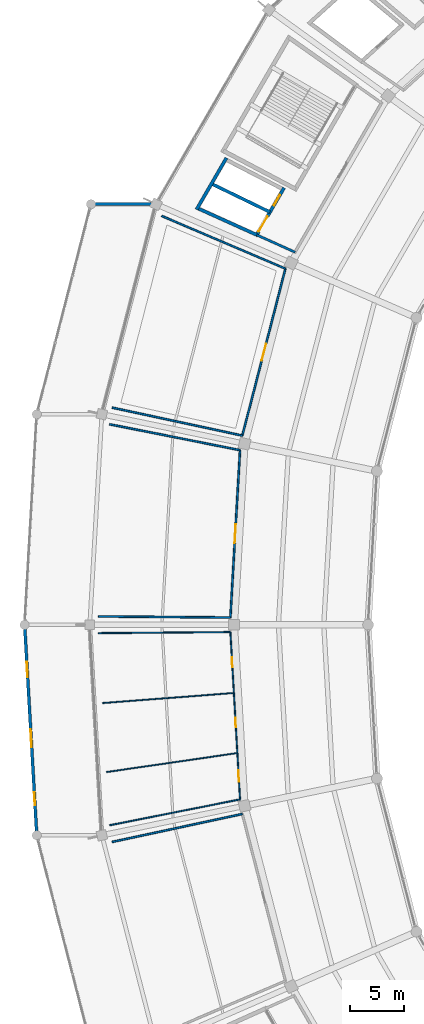
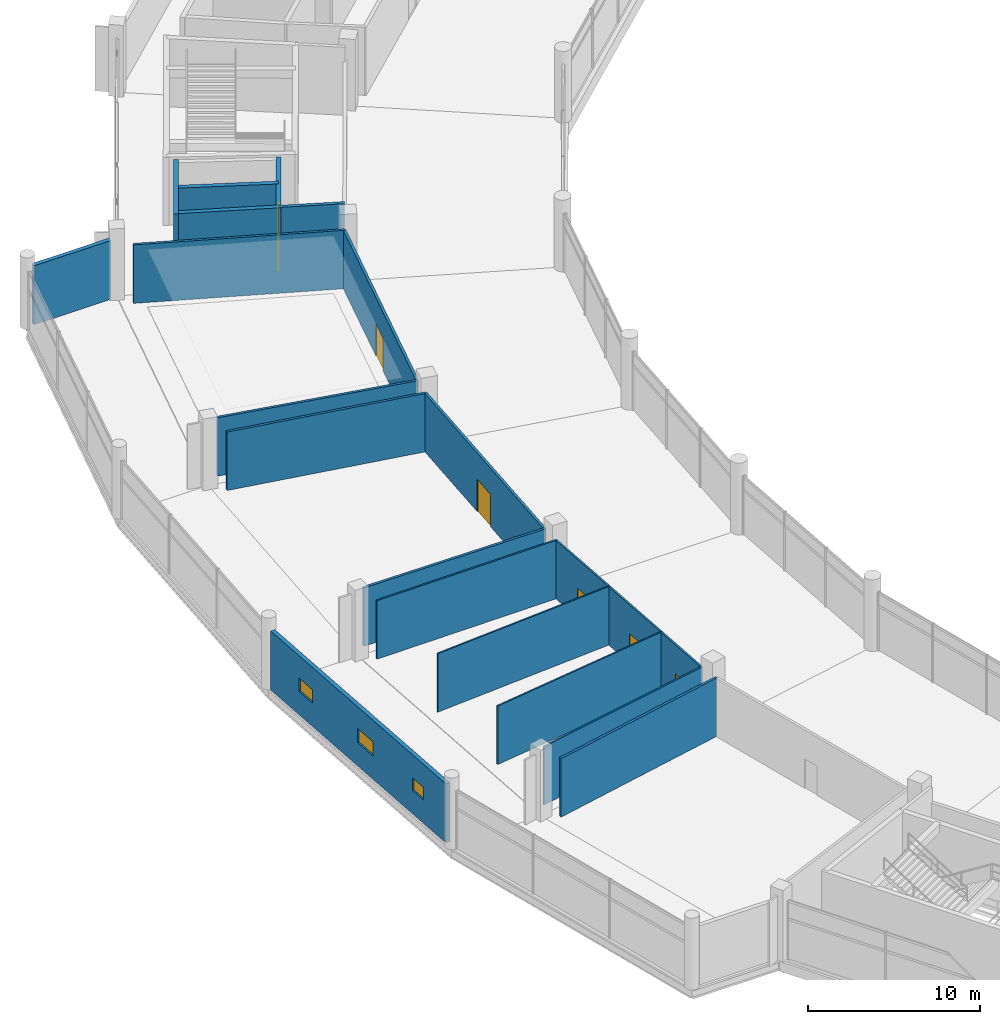
# One storey, part 146 of 184: 19 walls, 7 doors, 3 windows, 10 openings.
"""IFC4 building model written with IfcOpenShell, lengths in metres."""

from ifc_helpers import new_model, si_unit, direction, frame, frame_2d, origin, place, context, subcontext, project, spatial, rectangle, extrude, material, layer, layer_set, type_object, element, fill, save


model = new_model("IFC4")

# Units and contexts
model_context = context("Model", 3, precision=1e-05, world=origin(), true_north=direction((0.0, 1.0)))
body_context = subcontext(model_context, "Body", "Model", "MODEL_VIEW")
ifc_project = project(units=[si_unit("LENGTHUNIT", "METRE"), si_unit("AREAUNIT", "SQUARE_METRE"), si_unit("VOLUMEUNIT", "CUBIC_METRE"), si_unit("PLANEANGLEUNIT", "RADIAN"), si_unit("MASSUNIT", "GRAM", prefix="KILO")], contexts=[model_context])

# Site, building, storey
site_placement = place(None, origin())
site = spatial("IfcSite", under=ifc_project, at=site_placement, CompositionType="ELEMENT")
building_placement = place(site_placement, origin())
building = spatial("IfcBuilding", under=site, at=building_placement, Name="Kazemori Nagisa Stadium", CompositionType="ELEMENT")
storey_placement = place(building_placement, frame((0.0, 0.0, 10.5400390625)))
storey = spatial("IfcBuildingStorey", under=building, at=storey_placement, Name="L02", CompositionType="ELEMENT", Elevation=10.5400390625)

# Wall
ifc_material_1 = material(Name="Concrete C40/50 (Fc42) precast", Category="concrete")
ifc_layer_1 = layer(ifc_material_1, 0.27490234375, Name="Concrete C40/50 (Fc42) precast", Category="concrete")
ifc_layer_set_1 = layer_set([ifc_layer_1], Name="Concrete C40/50 (Fc42) precast")
wall_type_1 = type_object("IfcWallType", Name="Wall_W-EXT-275", PredefinedType="SOLIDWALL", material=ifc_layer_set_1)
wall_1_placement = place(storey_placement, frame((33.675048828125, 140.74951171875, 0.0), z_axis=(0.0, 0.0, 1.0), x_axis=(-1.0, 0.0, 0.0)))
element("IfcWall", 1, at=wall_1_placement, inside=storey, type_object=wall_type_1, Name="West grandstand return wall L02-N", PredefinedType="SOLIDWALL", context=body_context, shape_type="SweptSolid", body=[
    extrude(rectangle(XDim=5.179931640625, YDim=0.27490234375, at=frame_2d((2.58984375, 0.0))), origin(), (0.0, 0.0, 1.0), 4.18994140625),
])

# Wall, openings, windows
wall_2_placement = place(storey_placement, frame((22.023681640625, 101.590576171875, 0.0), z_axis=(0.0, 0.0, 1.0), x_axis=(0.057592260431, -0.998340188282, 0.0)))
wall_2 = element("IfcWall", 2, at=wall_2_placement, inside=storey, type_object=wall_type_1, Name="Exterior facade wall L02-15", PredefinedType="SOLIDWALL", context=body_context, shape_type="SweptSolid", body=[
    extrude(rectangle(XDim=18.60986328125, YDim=0.27490234375, at=frame_2d((9.304931640625, 0.0))), origin(), (0.0, 0.0, 1.0), 4.18994140625),
])
opening_1_placement = place(wall_2_placement, frame((2.9970703125, 0.0, 1.64990234375)))
opening_1 = element("IfcOpeningElement", 3, at=opening_1_placement, cuts=wall_2, Name="Opening WIN-WC-1450", PredefinedType="OPENING", context=body_context, shape_type="SweptSolid", body=[
    extrude(rectangle(XDim=1.449951171875, YDim=0.949951171875, at=frame_2d((0.72509765625, 0.47509765625))), frame((0.0, 0.1474609375, 0.0), z_axis=(0.0, -1.0, 0.0), x_axis=(1.0, 0.0, 0.0)), (0.0, 0.0, 1.0), 0.294921875),
])
opening_2_placement = place(wall_2_placement, frame((9.22412109375, 0.0, 1.64990234375)))
opening_2 = element("IfcOpeningElement", 4, at=opening_2_placement, cuts=wall_2, Name="Opening WIN-WC-1650", PredefinedType="OPENING", context=body_context, shape_type="SweptSolid", body=[
    extrude(rectangle(XDim=1.64990234375, YDim=1.0, at=frame_2d((0.824951171875, 0.5))), frame((0.0, 0.1474609375, 0.0), z_axis=(0.0, -1.0, 0.0), x_axis=(1.0, 0.0, 0.0)), (0.0, 0.0, 1.0), 0.294921875),
])
opening_3_placement = place(wall_2_placement, frame((15.031982421875, 0.0, 1.64990234375)))
opening_3 = element("IfcOpeningElement", 5, at=opening_3_placement, cuts=wall_2, Name="Opening WIN-WC-1200", PredefinedType="OPENING", context=body_context, shape_type="SweptSolid", body=[
    extrude(rectangle(XDim=1.199951171875, YDim=0.89990234375, at=frame_2d((0.60009765625, 0.449951171875))), frame((0.0, 0.1474609375, 0.0), z_axis=(0.0, -1.0, 0.0), x_axis=(1.0, 0.0, 0.0)), (0.0, 0.0, 1.0), 0.294921875),
])
ifc_material_2 = material(Name="Low-e laminated double glazing", Category="glass")
window_type_1 = type_object("IfcWindowType", Name="Window_WIN-WC-1200", PartitioningType="SINGLE_PANEL", PredefinedType="WINDOW", material=ifc_material_2)
window_1_placement = place(opening_3_placement, origin())
window_1 = element("IfcWindow", 6, at=window_1_placement, inside=storey, type_object=window_type_1, Name="Sanitary clerestory window L02-15-3", OverallHeight=0.89990234375, OverallWidth=1.199951171875, PartitioningType="SINGLE_PANEL", PredefinedType="WINDOW", context=body_context, shape_type="SweptSolid", body=[
    extrude(rectangle(XDim=1.199951171875, YDim=0.89990234375, at=frame_2d((0.60009765625, 0.449951171875))), frame((0.0, 0.030029296875, 0.0), z_axis=(0.0, -1.0, 0.0), x_axis=(1.0, 0.0, 0.0)), (0.0, 0.0, 1.0), 0.06005859375),
])
fill(opening_3, window_1)
window_type_2 = type_object("IfcWindowType", Name="Window_WIN-WC-1450", PartitioningType="SINGLE_PANEL", PredefinedType="WINDOW", material=ifc_material_2)
window_2_placement = place(opening_1_placement, origin())
window_2 = element("IfcWindow", 7, at=window_2_placement, inside=storey, type_object=window_type_2, Name="Sanitary clerestory window L02-15-1", OverallHeight=0.949951171875, OverallWidth=1.449951171875, PartitioningType="SINGLE_PANEL", PredefinedType="WINDOW", context=body_context, shape_type="SweptSolid", body=[
    extrude(rectangle(XDim=1.449951171875, YDim=0.949951171875, at=frame_2d((0.72509765625, 0.47509765625))), frame((0.0, 0.030029296875, 0.0), z_axis=(0.0, -1.0, 0.0), x_axis=(1.0, 0.0, 0.0)), (0.0, 0.0, 1.0), 0.06005859375),
])
fill(opening_1, window_2)
window_type_3 = type_object("IfcWindowType", Name="Window_WIN-WC-1650", PartitioningType="SINGLE_PANEL", PredefinedType="WINDOW", material=ifc_material_2)
window_3_placement = place(opening_2_placement, origin())
window_3 = element("IfcWindow", 8, at=window_3_placement, inside=storey, type_object=window_type_3, Name="Sanitary clerestory window L02-15-2", OverallHeight=1.0, OverallWidth=1.64990234375, PartitioningType="SINGLE_PANEL", PredefinedType="WINDOW", context=body_context, shape_type="SweptSolid", body=[
    extrude(rectangle(XDim=1.64990234375, YDim=1.0, at=frame_2d((0.824951171875, 0.5))), frame((0.0, 0.030029296875, 0.0), z_axis=(0.0, -1.0, 0.0), x_axis=(1.0, 0.0, 0.0)), (0.0, 0.0, 1.0), 0.06005859375),
])
fill(opening_2, window_3)

# Walls
ifc_material_3 = material(Name="Concrete C36/45 (Fc36)", Category="concrete")
ifc_layer_2 = layer(ifc_material_3, 0.219970703125, Name="Concrete C36/45 (Fc36)", Category="concrete")
ifc_layer_set_2 = layer_set([ifc_layer_2], Name="Concrete C36/45 (Fc36)")
wall_type_2 = type_object("IfcWallType", Name="Wall_W-LOBBY-220", PredefinedType="SOLIDWALL", material=ifc_layer_set_2)
wall_3_placement = place(storey_placement, frame((46.91845703125, 136.328857421875, 0.0), z_axis=(0.0, 0.0, 1.0), x_axis=(-0.91149641055, 0.411308027582, 0.0)))
element("IfcWall", 9, at=wall_3_placement, inside=storey, type_object=wall_type_2, Name="Core lobby right wall ST08 L02", PredefinedType="SOLIDWALL", context=body_context, shape_type="SweptSolid", body=[
    extrude(rectangle(XDim=3.873046875, YDim=0.219970703125, at=frame_2d((1.9365234375, 0.0))), origin(), (0.0, 0.0, 1.0), 4.83984375),
])
ifc_material_4 = material(Name="High-pressure phenolic compact laminate", Category="gypsum")
ifc_layer_3 = layer(ifc_material_4, 0.10009765625, Name="High-pressure phenolic compact laminate", Category="gypsum")
ifc_layer_set_3 = layer_set([ifc_layer_3], Name="High-pressure phenolic compact laminate")
wall_type_3 = type_object("IfcWallType", Name="Wall_W-PART-100", PredefinedType="PARTITIONING", material=ifc_layer_set_3)
wall_4_placement = place(storey_placement, frame((41.282470703125, 95.717041015625, 0.0), z_axis=(0.0, 0.0, 1.0), x_axis=(-0.997058150978, -0.076648832789, 0.0)))
element("IfcWall", 10, at=wall_4_placement, inside=storey, type_object=wall_type_3, Name="Sanitary divider partition L02-B15-1", PredefinedType="PARTITIONING", context=body_context, shape_type="SweptSolid", body=[
    extrude(rectangle(XDim=12.141845703125, YDim=0.10009765625, at=frame_2d((6.07080078125, 0.0))), origin(), (0.0, 0.0, 1.0), 4.159912109375),
])
wall_5_placement = place(storey_placement, frame((41.601806640625, 90.181884765625, 0.0), z_axis=(0.0, 0.0, 1.0), x_axis=(-0.989621901332, -0.143695832939, 0.0)))
element("IfcWall", 11, at=wall_5_placement, inside=storey, type_object=wall_type_3, Name="Sanitary divider partition L02-B15-2", PredefinedType="PARTITIONING", context=body_context, shape_type="SweptSolid", body=[
    extrude(rectangle(XDim=12.185302734375, YDim=0.10009765625, at=frame_2d((6.0927734375, 0.0))), origin(), (0.0, 0.0, 1.0), 4.159912109375),
])

# Wall, openings, doors
ifc_material_5 = material(Name="Moisture-resistant gypsum board", Category="gypsum")
ifc_layer_4 = layer(ifc_material_5, 0.114990234375, Name="Moisture-resistant gypsum board", Category="gypsum")
ifc_layer_set_4 = layer_set([ifc_layer_4], Name="Moisture-resistant gypsum board")
wall_type_4 = type_object("IfcWallType", Name="Wall_W-PART-115", PredefinedType="PARTITIONING", material=ifc_layer_set_4)
wall_6_placement = place(storey_placement, frame((40.958740234375, 101.32958984375, 0.0), z_axis=(0.0, 0.0, 1.0), x_axis=(0.057603503798, -0.998339539611, 0.0)))
wall_6 = element("IfcWall", 12, at=wall_6_placement, inside=storey, type_object=wall_type_4, Name="Sanitary block corridor partition L02-B15", PredefinedType="PARTITIONING", context=body_context, shape_type="SweptSolid", body=[
    extrude(rectangle(XDim=15.4443359375, YDim=0.114990234375, at=frame_2d((7.72216796875, 0.0))), origin(), (0.0, 0.0, 1.0), 4.159912109375),
])
opening_4_placement = place(wall_6_placement, frame((2.330078125, 0.0, 0.0)))
opening_4 = element("IfcOpeningElement", 13, at=opening_4_placement, cuts=wall_6, Name="Opening D-WC-900", PredefinedType="OPENING", context=body_context, shape_type="SweptSolid", body=[
    extrude(rectangle(XDim=0.89990234375, YDim=2.10009765625, at=frame_2d((0.449951171875, 1.050048828125))), frame((0.0, 0.0673828125, 0.0), z_axis=(0.0, -1.0, 0.0), x_axis=(1.0, 0.0, 0.0)), (0.0, 0.0, 1.0), 0.135009765625),
])
opening_5_placement = place(wall_6_placement, frame((7.889892578125, 0.0, 0.0)))
opening_5 = element("IfcOpeningElement", 14, at=opening_5_placement, cuts=wall_6, Name="Opening D-WC-900", PredefinedType="OPENING", context=body_context, shape_type="SweptSolid", body=[
    extrude(rectangle(XDim=0.89990234375, YDim=2.10009765625, at=frame_2d((0.449951171875, 1.050048828125))), frame((0.0, 0.0673828125, 0.0), z_axis=(0.0, -1.0, 0.0), x_axis=(1.0, 0.0, 0.0)), (0.0, 0.0, 1.0), 0.135009765625),
])
opening_6_placement = place(wall_6_placement, frame((12.757080078125, 0.0, 0.0)))
opening_6 = element("IfcOpeningElement", 15, at=opening_6_placement, cuts=wall_6, Name="Opening D-AWC-1050", PredefinedType="OPENING", context=body_context, shape_type="SweptSolid", body=[
    extrude(rectangle(XDim=1.050048828125, YDim=2.10009765625, at=frame_2d((0.52490234375, 1.050048828125))), frame((0.0, 0.0673828125, 0.0), z_axis=(0.0, -1.0, 0.0), x_axis=(1.0, 0.0, 0.0)), (0.0, 0.0, 1.0), 0.135009765625),
])
ifc_material_6 = material(Name="High-pressure laminate on timber core", Category="wood")
door_type_1 = type_object("IfcDoorType", Name="Door_D-AWC-1050", OperationType="NOTDEFINED", PredefinedType="DOOR", material=ifc_material_6)
door_1_placement = place(opening_6_placement, origin())
door_1 = element("IfcDoor", 16, at=door_1_placement, inside=storey, type_object=door_type_1, Name="AWC entrance door L02-B15", OperationType="SINGLE_SWING_LEFT", OverallHeight=2.10009765625, OverallWidth=1.050048828125, PredefinedType="DOOR", context=body_context, shape_type="SweptSolid", body=[
    extrude(rectangle(XDim=1.050048828125, YDim=2.10009765625, at=frame_2d((0.52490234375, 1.050048828125))), frame((0.0, 0.02490234375, 0.0), z_axis=(0.0, -1.0, 0.0), x_axis=(1.0, 0.0, 0.0)), (0.0, 0.0, 1.0), 0.050048828125),
])
fill(opening_6, door_1)
door_type_2 = type_object("IfcDoorType", Name="Door_D-WC-900", OperationType="NOTDEFINED", PredefinedType="DOOR", material=ifc_material_6)
door_2_placement = place(opening_4_placement, origin())
door_2 = element("IfcDoor", 17, at=door_2_placement, inside=storey, type_object=door_type_2, Name="MWC entrance door L02-B15", OperationType="SINGLE_SWING_LEFT", OverallHeight=2.10009765625, OverallWidth=0.89990234375, PredefinedType="DOOR", context=body_context, shape_type="SweptSolid", body=[
    extrude(rectangle(XDim=0.89990234375, YDim=2.10009765625, at=frame_2d((0.449951171875, 1.050048828125))), frame((0.0, 0.02490234375, 0.0), z_axis=(0.0, -1.0, 0.0), x_axis=(1.0, 0.0, 0.0)), (0.0, 0.0, 1.0), 0.050048828125),
])
fill(opening_4, door_2)
door_3_placement = place(opening_5_placement, origin())
door_3 = element("IfcDoor", 18, at=door_3_placement, inside=storey, type_object=door_type_2, Name="FWC entrance door L02-B15", OperationType="SINGLE_SWING_RIGHT", OverallHeight=2.10009765625, OverallWidth=0.89990234375, PredefinedType="DOOR", context=body_context, shape_type="SweptSolid", body=[
    extrude(rectangle(XDim=0.89990234375, YDim=2.10009765625, at=frame_2d((0.449951171875, 1.050048828125))), frame((0.0, 0.02490234375, 0.0), z_axis=(0.0, -1.0, 0.0), x_axis=(1.0, 0.0, 0.0)), (0.0, 0.0, 1.0), 0.050048828125),
])
fill(opening_5, door_3)

# Walls
wall_7_placement = place(storey_placement, frame((40.958740234375, 101.32958984375, 0.0), z_axis=(0.0, 0.0, 1.0), x_axis=(-0.999966583768, -0.008175044183, 0.0)))
element("IfcWall", 19, at=wall_7_placement, inside=storey, type_object=wall_type_4, Name="Sanitary block L partition L02-B15", PredefinedType="PARTITIONING", context=body_context, shape_type="SweptSolid", body=[
    extrude(rectangle(XDim=12.15478515625, YDim=0.114990234375, at=frame_2d((6.077392578125, 0.0))), origin(), (0.0, 0.0, 1.0), 4.159912109375),
])
wall_8_placement = place(storey_placement, frame((41.848388671875, 85.910888671875, 0.0), z_axis=(0.0, 0.0, 1.0), x_axis=(-0.980904167784, -0.194491680088, 0.0)))
element("IfcWall", 20, at=wall_8_placement, inside=storey, type_object=wall_type_4, Name="Sanitary block R partition L02-B15", PredefinedType="PARTITIONING", context=body_context, shape_type="SweptSolid", body=[
    extrude(rectangle(XDim=12.256591796875, YDim=0.114990234375, at=frame_2d((6.12841796875, 0.0))), origin(), (0.0, 0.0, 1.0), 4.159912109375),
])

# Wall, opening, door
ifc_material_7 = material(Name="Gypsum plasterboard", Category="gypsum")
ifc_layer_5 = layer(ifc_material_7, 0.1650390625, Name="Gypsum plasterboard", Category="gypsum")
ifc_layer_set_5 = layer_set([ifc_layer_5], Name="Gypsum plasterboard")
wall_type_5 = type_object("IfcWallType", Name="Wall_W-PART-165", PredefinedType="PARTITIONING", material=ifc_layer_set_5)
wall_9_placement = place(storey_placement, frame((46.03076171875, 134.810791015625, 0.0), z_axis=(0.0, 0.0, 1.0), x_axis=(-0.249970043824, -0.968253570709, 0.0)))
wall_9 = element("IfcWall", 21, at=wall_9_placement, inside=storey, type_object=wall_type_5, Name="Room corridor partition L02-B13", PredefinedType="PARTITIONING", context=body_context, shape_type="SweptSolid", body=[
    extrude(rectangle(XDim=15.88671875, YDim=0.1650390625, at=frame_2d((7.943359375, 0.0))), origin(), (0.0, 0.0, 1.0), 4.159912109375),
])
opening_7_placement = place(wall_9_placement, frame((7.14306640625, 0.0, 0.0)))
opening_7 = element("IfcOpeningElement", 22, at=opening_7_placement, cuts=wall_9, Name="Opening D-LNG-1600", PredefinedType="OPENING", context=body_context, shape_type="SweptSolid", body=[
    extrude(rectangle(XDim=1.60009765625, YDim=2.300048828125, at=frame_2d((0.800048828125, 1.14990234375))), frame((0.0, 0.092529296875, 0.0), z_axis=(0.0, -1.0, 0.0), x_axis=(1.0, 0.0, 0.0)), (0.0, 0.0, 1.0), 0.18505859375),
])
ifc_material_8 = material(Name="Anodised aluminium 6063-T5", Category="aluminium")
door_type_3 = type_object("IfcDoorType", Name="Door_D-LNG-1600", OperationType="NOTDEFINED", PredefinedType="DOOR", material=ifc_material_8)
door_4_placement = place(opening_7_placement, origin())
door_4 = element("IfcDoor", 23, at=door_4_placement, inside=storey, type_object=door_type_3, Name="Room entrance door D-LNG-1600 L02-B13", OperationType="DOUBLE_DOOR_SINGLE_SWING", OverallHeight=2.300048828125, OverallWidth=1.60009765625, PredefinedType="DOOR", context=body_context, shape_type="SweptSolid", body=[
    extrude(rectangle(XDim=1.60009765625, YDim=2.300048828125, at=frame_2d((0.800048828125, 1.14990234375))), frame((0.0, 0.02490234375, 0.0), z_axis=(0.0, -1.0, 0.0), x_axis=(1.0, 0.0, 0.0)), (0.0, 0.0, 1.0), 0.050048828125),
])
fill(opening_7, door_4)

# Walls
wall_10_placement = place(storey_placement, frame((46.03076171875, 134.810791015625, 0.0), z_axis=(0.0, 0.0, 1.0), x_axis=(-0.919905328402, 0.392140519173, 0.0)))
element("IfcWall", 24, at=wall_10_placement, inside=storey, type_object=wall_type_5, Name="Room radial partition L02-B13-L", PredefinedType="PARTITIONING", context=body_context, shape_type="SweptSolid", body=[
    extrude(rectangle(XDim=12.395751953125, YDim=0.1650390625, at=frame_2d((6.19775390625, 0.0))), origin(), (0.0, 0.0, 1.0), 4.159912109375),
])
wall_11_placement = place(storey_placement, frame((42.0595703125, 119.428466796875, 0.0), z_axis=(0.0, 0.0, 1.0), x_axis=(-0.97759337709, 0.210502230558, 0.0)))
element("IfcWall", 25, at=wall_11_placement, inside=storey, type_object=wall_type_5, Name="Room radial partition L02-B13-R", PredefinedType="PARTITIONING", context=body_context, shape_type="SweptSolid", body=[
    extrude(rectangle(XDim=12.26611328125, YDim=0.1650390625, at=frame_2d((6.133056640625, 0.0))), origin(), (0.0, 0.0, 1.0), 4.159912109375),
])

# Wall, opening, door
wall_12_placement = place(storey_placement, frame((41.848388671875, 118.089111328125, 0.0), z_axis=(0.0, 0.0, 1.0), x_axis=(-0.057603503798, -0.998339539611, 0.0)))
wall_12 = element("IfcWall", 26, at=wall_12_placement, inside=storey, type_object=wall_type_5, Name="Room corridor partition L02-B14", PredefinedType="PARTITIONING", context=body_context, shape_type="SweptSolid", body=[
    extrude(rectangle(XDim=15.4443359375, YDim=0.1650390625, at=frame_2d((7.72216796875, 0.0))), origin(), (0.0, 0.0, 1.0), 4.159912109375),
])
opening_8_placement = place(wall_12_placement, frame((6.846923828125, 0.0, 0.0)))
opening_8 = element("IfcOpeningElement", 27, at=opening_8_placement, cuts=wall_12, Name="Opening D-DIN-1750", PredefinedType="OPENING", context=body_context, shape_type="SweptSolid", body=[
    extrude(rectangle(XDim=1.75, YDim=2.300048828125, at=frame_2d((0.875, 1.14990234375))), frame((0.0, 0.092529296875, 0.0), z_axis=(0.0, -1.0, 0.0), x_axis=(1.0, 0.0, 0.0)), (0.0, 0.0, 1.0), 0.18505859375),
])
door_type_4 = type_object("IfcDoorType", Name="Door_D-DIN-1750", OperationType="NOTDEFINED", PredefinedType="DOOR", material=ifc_material_8)
door_5_placement = place(opening_8_placement, origin())
door_5 = element("IfcDoor", 28, at=door_5_placement, inside=storey, type_object=door_type_4, Name="Room entrance door D-DIN-1750 L02-B14", OperationType="DOUBLE_DOOR_SINGLE_SWING", OverallHeight=2.300048828125, OverallWidth=1.75, PredefinedType="DOOR", context=body_context, shape_type="SweptSolid", body=[
    extrude(rectangle(XDim=1.75, YDim=2.300048828125, at=frame_2d((0.875, 1.14990234375))), frame((0.0, 0.02490234375, 0.0), z_axis=(0.0, -1.0, 0.0), x_axis=(1.0, 0.0, 0.0)), (0.0, 0.0, 1.0), 0.050048828125),
])
fill(opening_8, door_5)

# Walls
wall_13_placement = place(storey_placement, frame((41.848388671875, 118.089111328125, 0.0), z_axis=(0.0, 0.0, 1.0), x_axis=(-0.980904167784, 0.194491680088, 0.0)))
element("IfcWall", 29, at=wall_13_placement, inside=storey, type_object=wall_type_5, Name="Room radial partition L02-B14-L", PredefinedType="PARTITIONING", context=body_context, shape_type="SweptSolid", body=[
    extrude(rectangle(XDim=12.256591796875, YDim=0.1650390625, at=frame_2d((6.12841796875, 0.0))), origin(), (0.0, 0.0, 1.0), 4.159912109375),
])
wall_14_placement = place(storey_placement, frame((40.958740234375, 102.67041015625, 0.0), z_axis=(0.0, 0.0, 1.0), x_axis=(-0.999966583768, 0.008175044183, 0.0)))
element("IfcWall", 30, at=wall_14_placement, inside=storey, type_object=wall_type_5, Name="Room radial partition L02-B14-R", PredefinedType="PARTITIONING", context=body_context, shape_type="SweptSolid", body=[
    extrude(rectangle(XDim=12.15478515625, YDim=0.1650390625, at=frame_2d((6.077392578125, 0.0))), origin(), (0.0, 0.0, 1.0), 4.159912109375),
])
wall_15_placement = place(storey_placement, frame((42.0595703125, 84.571533203125, 0.0), z_axis=(0.0, 0.0, 1.0), x_axis=(-0.97759337709, -0.210502230558, 0.0)))
element("IfcWall", 31, at=wall_15_placement, inside=storey, type_object=wall_type_5, Name="Room radial partition L02-B16-L", PredefinedType="PARTITIONING", context=body_context, shape_type="SweptSolid", body=[
    extrude(rectangle(XDim=12.26611328125, YDim=0.1650390625, at=frame_2d((6.133056640625, 0.0))), origin(), (0.0, 0.0, 1.0), 4.159912109375),
])

# Wall, openings, doors
ifc_material_9 = material(Name="Concrete C40/50 (Fc42)", Category="concrete")
ifc_layer_6 = layer(ifc_material_9, 0.300048828125, Name="Concrete C40/50 (Fc42)", Category="concrete")
ifc_layer_set_6 = layer_set([ifc_layer_6], Name="Concrete C40/50 (Fc42)")
wall_type_6 = type_object("IfcWallType", Name="Wall_W-SHAFT-300", PredefinedType="SHEAR", material=ifc_layer_set_6)
wall_16_placement = place(storey_placement, frame((45.89990234375, 142.253662109375, 0.0), z_axis=(0.0, 0.0, 1.0), x_axis=(-0.501629534056, -0.86508254552, 0.0)))
wall_16 = element("IfcWall", 32, at=wall_16_placement, inside=storey, type_object=wall_type_6, Name="Lift shaft front wall LP6 L02", PredefinedType="SHEAR", context=body_context, shape_type="SweptSolid", body=[
    extrude(rectangle(XDim=5.157470703125, YDim=0.300048828125, at=frame_2d((2.57861328125, 0.0))), origin(), (0.0, 0.0, 1.0), 4.83984375),
])
opening_9_placement = place(wall_16_placement, frame((0.76611328125, 0.0, 0.0)))
opening_9 = element("IfcOpeningElement", 33, at=opening_9_placement, cuts=wall_16, Name="Opening LD-PAX", PredefinedType="OPENING", context=body_context, shape_type="SweptSolid", body=[
    extrude(rectangle(XDim=1.10009765625, YDim=2.199951171875, at=frame_2d((0.550048828125, 1.10009765625))), frame((0.0, 0.159912109375, 0.0), z_axis=(0.0, -1.0, 0.0), x_axis=(1.0, 0.0, 0.0)), (0.0, 0.0, 1.0), 0.320068359375),
])
opening_10_placement = place(wall_16_placement, frame((3.0419921875, 0.0, 0.0)))
opening_10 = element("IfcOpeningElement", 34, at=opening_10_placement, cuts=wall_16, Name="Opening LD-GDS", PredefinedType="OPENING", context=body_context, shape_type="SweptSolid", body=[
    extrude(rectangle(XDim=1.60009765625, YDim=2.300048828125, at=frame_2d((0.800048828125, 1.14990234375))), frame((0.0, 0.159912109375, 0.0), z_axis=(0.0, -1.0, 0.0), x_axis=(1.0, 0.0, 0.0)), (0.0, 0.0, 1.0), 0.320068359375),
])
ifc_material_10 = material(Name="Stainless steel SUS304", Category="steel")
door_type_5 = type_object("IfcDoorType", Name="Door_LD-GDS", OperationType="SLIDING_TO_LEFT", PredefinedType="DOOR", material=ifc_material_10)
door_6_placement = place(opening_10_placement, origin())
door_6 = element("IfcDoor", 35, at=door_6_placement, inside=storey, type_object=door_type_5, Name="Lift landing door LG1-L02", OperationType="SLIDING_TO_LEFT", OverallHeight=2.300048828125, OverallWidth=1.60009765625, PredefinedType="DOOR", context=body_context, shape_type="SweptSolid", body=[
    extrude(rectangle(XDim=1.60009765625, YDim=2.300048828125, at=frame_2d((0.800048828125, 1.14990234375))), frame((0.0, 0.02490234375, 0.0), z_axis=(0.0, -1.0, 0.0), x_axis=(1.0, 0.0, 0.0)), (0.0, 0.0, 1.0), 0.050048828125),
])
fill(opening_10, door_6)
door_type_6 = type_object("IfcDoorType", Name="Door_LD-PAX", OperationType="SLIDING_TO_RIGHT", PredefinedType="DOOR", material=ifc_material_10)
door_7_placement = place(opening_9_placement, origin())
door_7 = element("IfcDoor", 36, at=door_7_placement, inside=storey, type_object=door_type_6, Name="Lift landing door LP6-L02", OperationType="SLIDING_TO_RIGHT", OverallHeight=2.199951171875, OverallWidth=1.10009765625, PredefinedType="DOOR", context=body_context, shape_type="SweptSolid", body=[
    extrude(rectangle(XDim=1.10009765625, YDim=2.199951171875, at=frame_2d((0.550048828125, 1.10009765625))), frame((0.0, 0.02490234375, 0.0), z_axis=(0.0, -1.0, 0.0), x_axis=(1.0, 0.0, 0.0)), (0.0, 0.0, 1.0), 0.050048828125),
])
fill(opening_9, door_7)

# Walls
wall_17_placement = place(storey_placement, frame((40.59521484375, 145.01171875, 0.0), z_axis=(0.0, 0.0, 1.0), x_axis=(-0.501630260479, -0.865082124293, 0.0)))
element("IfcWall", 37, at=wall_17_placement, inside=storey, type_object=wall_type_6, Name="Lift shaft B wall LP6 L02", PredefinedType="SHEAR", context=body_context, shape_type="SweptSolid", body=[
    extrude(rectangle(XDim=5.491455078125, YDim=0.300048828125, at=frame_2d((2.74560546875, 0.0))), origin(), (0.0, 0.0, 1.0), 4.83984375),
])
wall_18_placement = place(storey_placement, frame((43.38818359375, 137.921875, 0.0), z_axis=(0.0, 0.0, 1.0), x_axis=(-0.911521602376, 0.41125219562, 0.0)))
element("IfcWall", 38, at=wall_18_placement, inside=storey, type_object=wall_type_6, Name="Lift shaft R wall LP6 L02", PredefinedType="SHEAR", context=body_context, shape_type="SweptSolid", body=[
    extrude(rectangle(XDim=6.003662109375, YDim=0.300048828125, at=frame_2d((3.001953125, 0.0))), origin(), (0.0, 0.0, 1.0), 4.83984375),
])
wall_19_placement = place(storey_placement, frame((44.6064453125, 140.02294921875, 0.0), z_axis=(0.0, 0.0, 1.0), x_axis=(-0.899759302591, 0.436386522936, 0.0)))
element("IfcWall", 39, at=wall_19_placement, inside=storey, type_object=wall_type_6, Name="Lift shaft divider wall LP6-LG1 L02", PredefinedType="SHEAR", context=body_context, shape_type="SweptSolid", body=[
    extrude(rectangle(XDim=5.989013671875, YDim=0.300048828125, at=frame_2d((2.99462890625, 0.0))), origin(), (0.0, 0.0, 1.0), 4.83984375),
])

save(model, "model.ifc")
